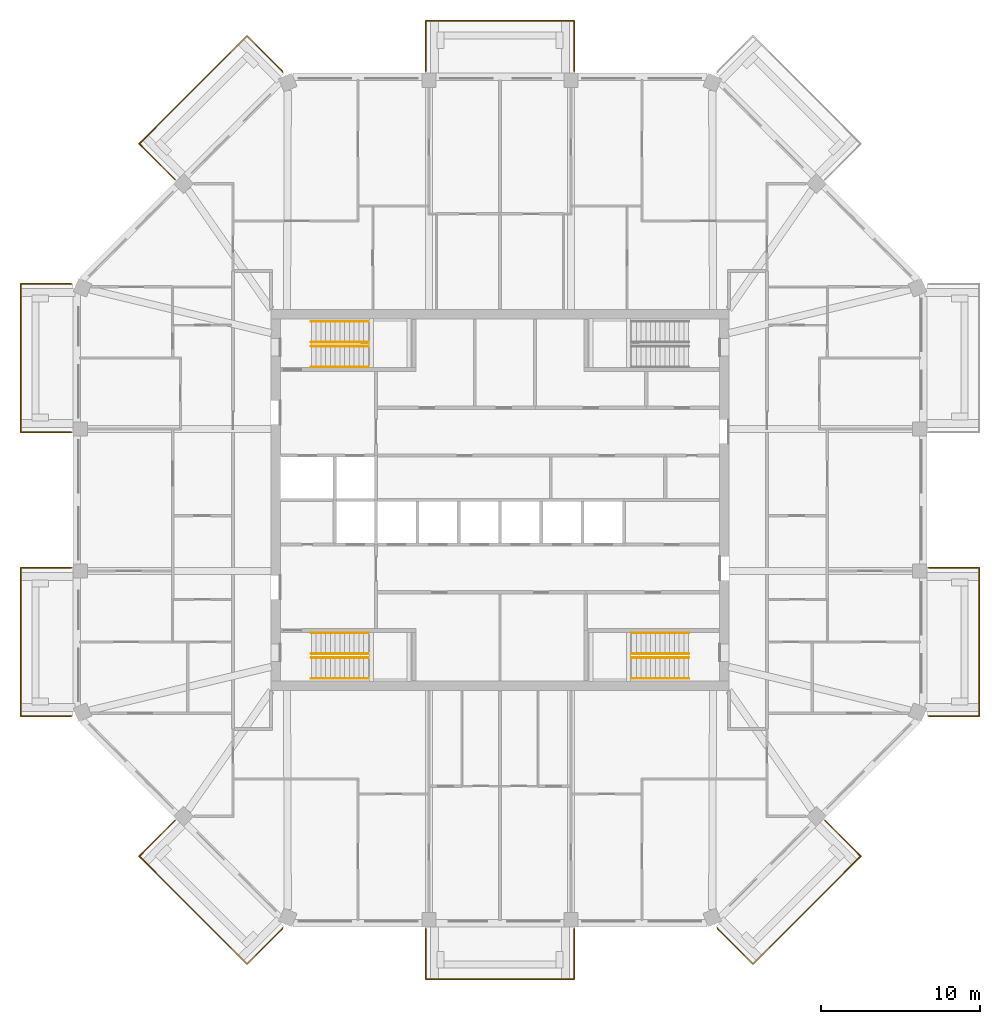
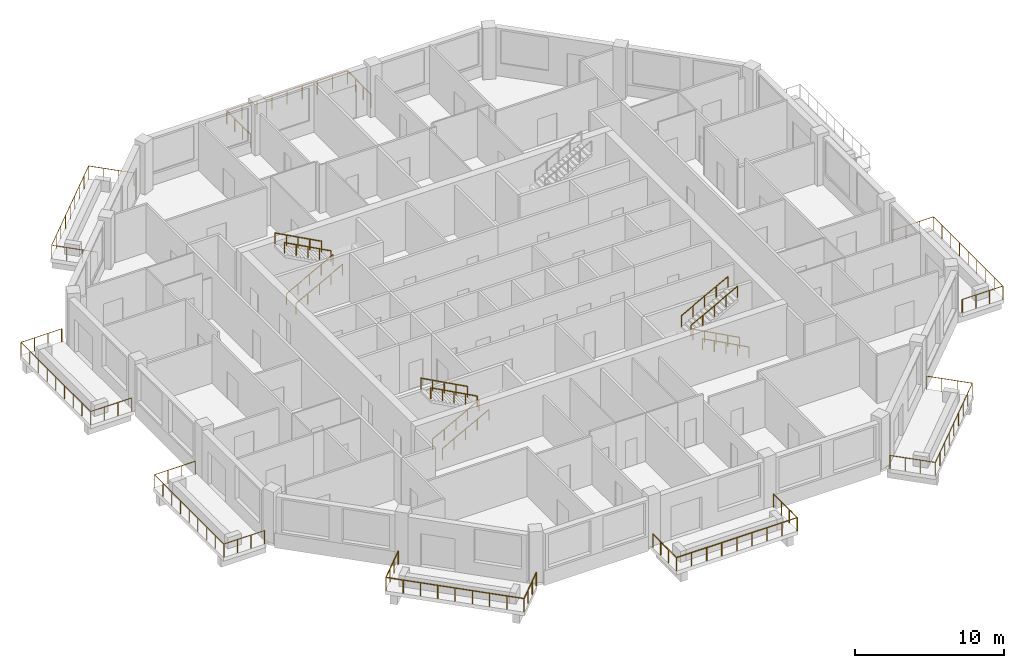
# One storey, part 11 of 12: 20 railings.
"""IFC4 building model written with IfcOpenShell, lengths in metres."""

import ifcopenshell
import ifcopenshell.guid

model = None  # the IFC model being written
_history = None  # IfcOwnerHistory: only IFC2X3 demands one
_inside = {}  # id of a spatial element -> (the spatial element, [elements in it])
_under = {}  # id of a project, library or spatial element -> (it, [spatial elements below it])
_declared = {}  # id of a project -> (the project, [libraries it declares])
_typed = {}  # id of a type object -> (the type object, [elements of that type])
_made_of = {}  # id of a material, layer set ... -> (it, [elements and type objects made of it])


def new_model(schema):
    """Start an empty IFC model of exactly this schema.

    Asked for "IFC4X3", IfcOpenShell would pick the latest addendum, in which some entities
    have other attributes; the version numbers below select the first issue.
    IFC2X3 requires an IfcOwnerHistory on every rooted entity: one is made here for all.
    """
    global model, _history
    if schema == "IFC4X3":
        model = ifcopenshell.file(schema_version=(4, 3, 0, 0))
    else:
        model = ifcopenshell.file(schema=schema)
    _inside.clear()
    _under.clear()
    _declared.clear()
    _typed.clear()
    _made_of.clear()
    _history = None
    if model.schema == "IFC2X3":
        org = make("IfcOrganization", Name="unknown")
        user = make(
            "IfcPersonAndOrganization",
            ThePerson=make("IfcPerson", FamilyName="unknown"),
            TheOrganization=org,
        )
        app = make(
            "IfcApplication",
            ApplicationDeveloper=org,
            Version="unknown",
            ApplicationFullName="unknown",
            ApplicationIdentifier="unknown",
        )
        _history = make(
            "IfcOwnerHistory",
            OwningUser=user,
            OwningApplication=app,
            ChangeAction="ADDED",
            CreationDate=0,
        )
    return model


def make(cls, **values):
    """One entity of the class cls with the attributes given. An attribute that is None is left unset."""
    return model.create_entity(
        cls, **{name: value for name, value in values.items() if value is not None}
    )


def rooted(cls, **values):
    """An entity with a GlobalId (a new one), such as an element, a storey or a relation."""
    return make(cls, GlobalId=ifcopenshell.guid.new(), OwnerHistory=_history, **values)


def si_unit(unit_type, name, prefix=None):
    """IfcSIUnit, for example si_unit("LENGTHUNIT", "METRE", prefix="MILLI")."""
    return make("IfcSIUnit", UnitType=unit_type, Prefix=prefix, Name=name)


def assignment(units):
    """IfcUnitAssignment: the units of a project."""
    return None if units is None else make("IfcUnitAssignment", Units=units)


def point(xyz):
    """IfcCartesianPoint."""
    return None if xyz is None else make("IfcCartesianPoint", Coordinates=xyz)


def direction(xyz):
    """IfcDirection."""
    return None if xyz is None else make("IfcDirection", DirectionRatios=xyz)


def frame(location, z_axis=None, x_axis=None):
    """IfcAxis2Placement3D, a coordinate frame: its origin and axes. An axis left out is left unset."""
    return make(
        "IfcAxis2Placement3D",
        Location=point(location),
        Axis=direction(z_axis),
        RefDirection=direction(x_axis),
    )


def frame_2d(location, x_axis=None):
    """IfcAxis2Placement2D, a coordinate frame in the plane: its origin and x axis."""
    return make(
        "IfcAxis2Placement2D", Location=point(location), RefDirection=direction(x_axis)
    )


def origin():
    """The frame at (0, 0, 0) with its axes left unset."""
    return frame((0.0, 0.0, 0.0))


def origin_2d():
    """The frame at (0, 0) in the plane with its x axis left unset."""
    return frame_2d((0.0, 0.0))


def place(relative_to, where):
    """IfcLocalPlacement: puts the frame where relative to a parent placement (None: the world)."""
    return make(
        "IfcLocalPlacement", PlacementRelTo=relative_to, RelativePlacement=where
    )


def context(
    kind, dimensions, precision=None, world=None, true_north=None, identifier=None
):
    """IfcGeometricRepresentationContext, for example the 3D "Model" context."""
    return make(
        "IfcGeometricRepresentationContext",
        ContextIdentifier=identifier,
        ContextType=kind,
        CoordinateSpaceDimension=dimensions,
        Precision=precision,
        WorldCoordinateSystem=world,
        TrueNorth=true_north,
    )


def subcontext(parent, identifier, kind, view, scale=None):
    """IfcGeometricRepresentationSubContext, for example "Body" below "Model"."""
    return make(
        "IfcGeometricRepresentationSubContext",
        ContextIdentifier=identifier,
        ContextType=kind,
        ParentContext=parent,
        TargetScale=scale,
        TargetView=view,
    )


def project(units=None, contexts=None):
    """IfcProject with its units and contexts."""
    return rooted(
        "IfcProject",
        Name="project",
        RepresentationContexts=contexts,
        UnitsInContext=assignment(units),
    )


def spatial(cls, under=None, at=None, **own):
    """A site, building, storey or space (cls), placed at a placement, below another one or the project."""
    s = rooted(cls, ObjectPlacement=at, **own)
    if under is not None:
        _under.setdefault(under.id(), (under, []))[1].append(s)
    return s


def profile(cls, at=None, kind="AREA", **sizes):
    """A parametric profile (cls). Its sizes go by their IFC names, for example OverallWidth=200.0."""
    return make(cls, ProfileType=kind, Position=at, **sizes)


def circle(**sizes):
    """IfcCircleProfileDef."""
    return profile("IfcCircleProfileDef", **sizes)


def extrude(swept, where, along, depth):
    """IfcExtrudedAreaSolid: the profile swept, set in the frame where, extruded along a direction by depth."""
    return make(
        "IfcExtrudedAreaSolid",
        SweptArea=swept,
        Position=where,
        ExtrudedDirection=direction(along),
        Depth=depth,
    )


def shape(context_of_items, identifier, shape_type, items):
    """IfcShapeRepresentation: the items that make up one representation, for example the "Body"."""
    return make(
        "IfcShapeRepresentation",
        ContextOfItems=context_of_items,
        RepresentationIdentifier=identifier,
        RepresentationType=shape_type,
        Items=items,
    )


def material(Name=None, Category=None):
    """IfcMaterial."""
    return make("IfcMaterial", Name=Name, Category=Category)


def constituent(of_material, Name=None, Category=None, fraction=None):
    """IfcMaterialConstituent: one of the materials an element consists of."""
    return make(
        "IfcMaterialConstituent",
        Name=Name,
        Material=of_material,
        Fraction=fraction,
        Category=Category,
    )


def constituent_set(constituents=None, Name=None):
    """IfcMaterialConstituentSet."""
    return make(
        "IfcMaterialConstituentSet", Name=Name, MaterialConstituents=constituents
    )


def made_of(thing, what):
    """Note that an element or type object is made of a material, layer set ...; save() writes the relation."""
    if what is not None:
        _made_of.setdefault(what.id(), (what, []))[1].append(thing)
    return thing


def type_object(cls, material=None, **own):
    """A type object (cls), such as IfcWallType, which elements share."""
    return made_of(rooted(cls, **own), material)


def element(
    cls,
    number,
    at=None,
    inside=None,
    cuts=None,
    type_object=None,
    material=None,
    context=None,
    identifier="Body",
    shape_type=None,
    held_by="IfcProductDefinitionShape",
    body=None,
    shapes=None,
    **own,
):
    """One element of the class cls, such as IfcWall. Its Tag is "e" and its number.

    at: its placement. inside: the storey or other place that contains it. cuts: it is an
    opening in that element (IfcRelVoidsElement). A single representation is given by context,
    identifier, shape_type and body (its items); several are given by shapes. held_by: the class
    of the entity that holds the representations. save() writes the other relations.
    """
    e = rooted(cls, Tag="e%d" % number, ObjectPlacement=at, **own)
    if body is not None:
        shapes = [shape(context, identifier, shape_type, body)]
    if shapes is not None:
        e.Representation = make(held_by, Representations=shapes)
    if inside is not None:
        _inside.setdefault(inside.id(), (inside, []))[1].append(e)
    if cuts is not None:
        rooted(
            "IfcRelVoidsElement", RelatingBuildingElement=cuts, RelatedOpeningElement=e
        )
    if type_object is not None:
        _typed.setdefault(type_object.id(), (type_object, []))[1].append(e)
    return made_of(e, material)


def aggregate(whole, parts):
    """IfcRelAggregates: a whole, such as a stair, and the parts it consists of."""
    return rooted("IfcRelAggregates", RelatingObject=whole, RelatedObjects=parts)


def save(model, path):
    """Write the relations noted so far, then the file.

    IfcRelAggregates (storeys below a building ...), IfcRelContainedInSpatialStructure (elements
    in a storey), IfcRelDefinesByType, IfcRelAssociatesMaterial and IfcRelDeclares: one each for
    every whole, place, type object, material and project.
    """
    for whole, parts in _under.values():
        aggregate(whole, parts)
    for where, things in _inside.values():
        rooted(
            "IfcRelContainedInSpatialStructure",
            RelatedElements=things,
            RelatingStructure=where,
        )
    for kind, things in _typed.values():
        rooted("IfcRelDefinesByType", RelatedObjects=things, RelatingType=kind)
    for what, things in _made_of.values():
        rooted("IfcRelAssociatesMaterial", RelatedObjects=things, RelatingMaterial=what)
    for by, libraries in _declared.values():
        rooted("IfcRelDeclares", RelatingContext=by, RelatedDefinitions=libraries)
    model.write(path)


model = new_model("IFC4")

# Units and contexts
model_context = context("Model", 3, precision=1e-05, world=origin(), true_north=direction((0.0, 1.0)))
body_context = subcontext(model_context, "Body", "Model", "MODEL_VIEW")
ifc_project = project(units=[si_unit("LENGTHUNIT", "METRE"), si_unit("AREAUNIT", "SQUARE_METRE"), si_unit("VOLUMEUNIT", "CUBIC_METRE"), si_unit("PLANEANGLEUNIT", "RADIAN"), si_unit("MASSUNIT", "GRAM", prefix="KILO")], contexts=[model_context])

# Site, building, storey
site_placement = place(None, origin())
site = spatial("IfcSite", under=ifc_project, at=site_placement, CompositionType="ELEMENT")
building_placement = place(site_placement, origin())
building = spatial("IfcBuilding", under=site, at=building_placement, Name="Msitu Wima Residences", CompositionType="ELEMENT")
storey_placement = place(building_placement, frame((0.0, 0.0, 243.300048828125)))
storey = spatial("IfcBuildingStorey", under=building, at=storey_placement, Name="L56", CompositionType="ELEMENT", Elevation=243.300048828125)

# Railings
ifc_material_1 = material(Name="Steel S355", Category="steel")
ifc_constituent_1 = constituent(ifc_material_1, Name="Steel S355")
ifc_material_2 = material(Name="Weathering patina")
ifc_constituent_2 = constituent(ifc_material_2, Name="Weathering patina")
ifc_constituent_set_1 = constituent_set(constituents=[ifc_constituent_1, ifc_constituent_2], Name="Steel S355")
railing_type_1 = type_object("IfcRailingType", Name="Balcony guard GR1100", PredefinedType="GUARDRAIL", material=ifc_constituent_set_1)
railing_1_placement = place(storey_placement, frame((26.97998046875, -4.2685546875, 0.0)))
element("IfcRailing", 1, at=railing_1_placement, inside=storey, type_object=railing_type_1, Name="Balcony guard E0 L56", PredefinedType="GUARDRAIL", context=body_context, shape_type="SweptSolid", body=[
    extrude(circle(Radius=0.02392578125, at=origin_2d()), frame((0.0, 0.0, 1.076171875), z_axis=(1.0, 0.0, 0.0), x_axis=(0.0, 1.0, 0.0)), (0.0, 0.0, 1.0), 3.169921875),
    extrude(circle(Radius=0.02392578125, at=origin_2d()), frame((3.169921875, 0.0, 1.076171875), z_axis=(0.0, -1.0, 0.0), x_axis=(1.0, 0.0, 0.0)), (0.0, 0.0, 1.0), 9.33740234375),
    extrude(circle(Radius=0.02392578125, at=origin_2d()), frame((3.169921875, -9.33740234375, 1.076171875), z_axis=(-1.0, 0.0, 0.0), x_axis=(0.0, -1.0, 0.0)), (0.0, 0.0, 1.0), 3.136474609375),
    extrude(circle(Radius=0.02392578125, at=origin_2d()), frame((0.033447265625, -9.33740234375, 1.076171875), z_axis=(-0.923276184907, 0.384136806859, 0.0), x_axis=(-0.384136806859, -0.923276184907, 0.0)), (0.0, 0.0, 1.0), 0.0361328125),
    extrude(circle(Radius=0.02099609375, at=origin_2d()), origin(), (0.0, 0.0, 1.0), 1.052001953125),
    extrude(circle(Radius=0.02099609375, at=origin_2d()), frame((1.056640625, 0.0, 0.0)), (0.0, 0.0, 1.0), 1.052001953125),
    extrude(circle(Radius=0.02099609375, at=origin_2d()), frame((2.11328125, 0.0, 0.0)), (0.0, 0.0, 1.0), 1.052001953125),
    extrude(circle(Radius=0.02099609375, at=origin_2d()), frame((3.169921875, 0.0, 0.0)), (0.0, 0.0, 1.0), 1.052001953125),
    extrude(circle(Radius=0.02099609375, at=origin_2d()), frame((3.169921875, -1.167236328125, 0.0)), (0.0, 0.0, 1.0), 1.052001953125),
    extrude(circle(Radius=0.02099609375, at=origin_2d()), frame((3.169921875, -2.33447265625, 0.0)), (0.0, 0.0, 1.0), 1.052001953125),
    extrude(circle(Radius=0.02099609375, at=origin_2d()), frame((3.169921875, -3.50146484375, 0.0)), (0.0, 0.0, 1.0), 1.052001953125),
    extrude(circle(Radius=0.02099609375, at=origin_2d()), frame((3.169921875, -4.668701171875, 0.0)), (0.0, 0.0, 1.0), 1.052001953125),
    extrude(circle(Radius=0.02099609375, at=origin_2d()), frame((3.169921875, -5.8359375, 0.0)), (0.0, 0.0, 1.0), 1.052001953125),
    extrude(circle(Radius=0.02099609375, at=origin_2d()), frame((3.169921875, -7.0029296875, 0.0)), (0.0, 0.0, 1.0), 1.052001953125),
    extrude(circle(Radius=0.02099609375, at=origin_2d()), frame((3.169921875, -8.170166015625, 0.0)), (0.0, 0.0, 1.0), 1.052001953125),
    extrude(circle(Radius=0.02099609375, at=origin_2d()), frame((3.169921875, -9.33740234375, 0.0)), (0.0, 0.0, 1.0), 1.052001953125),
    extrude(circle(Radius=0.02099609375, at=origin_2d()), frame((2.12451171875, -9.33740234375, 0.0)), (0.0, 0.0, 1.0), 1.052001953125),
    extrude(circle(Radius=0.02099609375, at=origin_2d()), frame((1.078857421875, -9.33740234375, 0.0)), (0.0, 0.0, 1.0), 1.052001953125),
    extrude(circle(Radius=0.02099609375, at=origin_2d()), frame((0.033447265625, -9.33740234375, 0.0)), (0.0, 0.0, 1.0), 1.052001953125),
    extrude(circle(Radius=0.02099609375, at=origin_2d()), frame((0.0, -9.323486328125, 0.0)), (0.0, 0.0, 1.0), 1.052001953125),
])
railing_2_placement = place(storey_placement, frame((-4.668701171875, 26.97998046875, 0.0)))
element("IfcRailing", 2, at=railing_2_placement, inside=storey, type_object=railing_type_1, Name="Balcony guard N1 L56", PredefinedType="GUARDRAIL", context=body_context, shape_type="SweptSolid", body=[
    extrude(circle(Radius=0.02392578125, at=origin_2d()), frame((0.0, 0.0, 1.076171875), z_axis=(0.0, 1.0, 0.0), x_axis=(-1.0, 0.0, 0.0)), (0.0, 0.0, 1.0), 3.169921875),
    extrude(circle(Radius=0.02392578125, at=origin_2d()), frame((0.0, 3.169921875, 1.076171875), z_axis=(1.0, 0.0, 0.0), x_axis=(0.0, 1.0, 0.0)), (0.0, 0.0, 1.0), 9.33740234375),
    extrude(circle(Radius=0.02392578125, at=origin_2d()), frame((9.33740234375, 3.169921875, 1.076171875), z_axis=(0.0, -1.0, 0.0), x_axis=(1.0, 0.0, 0.0)), (0.0, 0.0, 1.0), 3.169921875),
    extrude(circle(Radius=0.02099609375, at=origin_2d()), origin(), (0.0, 0.0, 1.0), 1.052001953125),
    extrude(circle(Radius=0.02099609375, at=origin_2d()), frame((0.0, 1.056640625, 0.0)), (0.0, 0.0, 1.0), 1.052001953125),
    extrude(circle(Radius=0.02099609375, at=origin_2d()), frame((0.0, 2.11328125, 0.0)), (0.0, 0.0, 1.0), 1.052001953125),
    extrude(circle(Radius=0.02099609375, at=origin_2d()), frame((0.0, 3.169921875, 0.0)), (0.0, 0.0, 1.0), 1.052001953125),
    extrude(circle(Radius=0.02099609375, at=origin_2d()), frame((1.167236328125, 3.169921875, 0.0)), (0.0, 0.0, 1.0), 1.052001953125),
    extrude(circle(Radius=0.02099609375, at=origin_2d()), frame((2.33447265625, 3.169921875, 0.0)), (0.0, 0.0, 1.0), 1.052001953125),
    extrude(circle(Radius=0.02099609375, at=origin_2d()), frame((3.50146484375, 3.169921875, 0.0)), (0.0, 0.0, 1.0), 1.052001953125),
    extrude(circle(Radius=0.02099609375, at=origin_2d()), frame((4.668701171875, 3.169921875, 0.0)), (0.0, 0.0, 1.0), 1.052001953125),
    extrude(circle(Radius=0.02099609375, at=origin_2d()), frame((5.8359375, 3.169921875, 0.0)), (0.0, 0.0, 1.0), 1.052001953125),
    extrude(circle(Radius=0.02099609375, at=origin_2d()), frame((7.0029296875, 3.169921875, 0.0)), (0.0, 0.0, 1.0), 1.052001953125),
    extrude(circle(Radius=0.02099609375, at=origin_2d()), frame((8.170166015625, 3.169921875, 0.0)), (0.0, 0.0, 1.0), 1.052001953125),
    extrude(circle(Radius=0.02099609375, at=origin_2d()), frame((9.33740234375, 3.169921875, 0.0)), (0.0, 0.0, 1.0), 1.052001953125),
    extrude(circle(Radius=0.02099609375, at=origin_2d()), frame((9.33740234375, 2.11328125, 0.0)), (0.0, 0.0, 1.0), 1.052001953125),
    extrude(circle(Radius=0.02099609375, at=origin_2d()), frame((9.33740234375, 1.056640625, 0.0)), (0.0, 0.0, 1.0), 1.052001953125),
    extrude(circle(Radius=0.02099609375, at=origin_2d()), frame((9.33740234375, 0.0, 0.0)), (0.0, 0.0, 1.0), 1.052001953125),
])
railing_3_placement = place(storey_placement, frame((-20.45458984375, 20.171630859375, 0.0)))
element("IfcRailing", 3, at=railing_3_placement, inside=storey, type_object=railing_type_1, Name="Balcony guard NW0 L56", PredefinedType="GUARDRAIL", context=body_context, shape_type="SweptSolid", body=[
    extrude(circle(Radius=0.02392578125, at=origin_2d()), frame((0.0, 0.0, 1.076171875), z_axis=(-0.707106781187, 0.707106781187, 0.0), x_axis=(-0.707106781187, -0.707106781187, 0.0)), (0.0, 0.0, 1.0), 3.169921875),
    extrude(circle(Radius=0.02392578125, at=origin_2d()), frame((-2.241455078125, 2.241455078125, 1.076171875), z_axis=(0.707106781187, 0.707106781187, 0.0), x_axis=(-0.707106781187, 0.707106781187, 0.0)), (0.0, 0.0, 1.0), 9.58837890625),
    extrude(circle(Radius=0.02392578125, at=origin_2d()), frame((4.53857421875, 9.021484375, 1.076171875), z_axis=(0.707106781187, -0.707106781187, 0.0), x_axis=(0.707106781187, 0.707106781187, 0.0)), (0.0, 0.0, 1.0), 3.136474609375),
    extrude(circle(Radius=0.02392578125, at=origin_2d()), frame((6.75634765625, 6.8037109375, 1.076171875), z_axis=(0.38176015442, -0.92426142649, 0.0), x_axis=(0.92426142649, 0.38176015442, 0.0)), (0.0, 0.0, 1.0), 0.036376953125),
    extrude(circle(Radius=0.02099609375, at=origin_2d()), origin(), (0.0, 0.0, 1.0), 1.052001953125),
    extrude(circle(Radius=0.02099609375, at=origin_2d()), frame((-0.7470703125, 0.7470703125, 0.0)), (0.0, 0.0, 1.0), 1.052001953125),
    extrude(circle(Radius=0.02099609375, at=origin_2d()), frame((-1.494384765625, 1.494384765625, 0.0)), (0.0, 0.0, 1.0), 1.052001953125),
    extrude(circle(Radius=0.02099609375, at=origin_2d()), frame((-2.241455078125, 2.241455078125, 0.0)), (0.0, 0.0, 1.0), 1.052001953125),
    extrude(circle(Radius=0.02099609375, at=origin_2d()), frame((-1.39404296875, 3.0888671875, 0.0)), (0.0, 0.0, 1.0), 1.052001953125),
    extrude(circle(Radius=0.02099609375, at=origin_2d()), frame((-0.54638671875, 3.9365234375, 0.0)), (0.0, 0.0, 1.0), 1.052001953125),
    extrude(circle(Radius=0.02099609375, at=origin_2d()), frame((0.301025390625, 4.783935546875, 0.0)), (0.0, 0.0, 1.0), 1.052001953125),
    extrude(circle(Radius=0.02099609375, at=origin_2d()), frame((1.1484375, 5.63134765625, 0.0)), (0.0, 0.0, 1.0), 1.052001953125),
    extrude(circle(Radius=0.02099609375, at=origin_2d()), frame((1.99609375, 6.47900390625, 0.0)), (0.0, 0.0, 1.0), 1.052001953125),
    extrude(circle(Radius=0.02099609375, at=origin_2d()), frame((2.843505859375, 7.326416015625, 0.0)), (0.0, 0.0, 1.0), 1.052001953125),
    extrude(circle(Radius=0.02099609375, at=origin_2d()), frame((3.691162109375, 8.174072265625, 0.0)), (0.0, 0.0, 1.0), 1.052001953125),
    extrude(circle(Radius=0.02099609375, at=origin_2d()), frame((4.53857421875, 9.021484375, 0.0)), (0.0, 0.0, 1.0), 1.052001953125),
    extrude(circle(Radius=0.02099609375, at=origin_2d()), frame((5.27783203125, 8.2822265625, 0.0)), (0.0, 0.0, 1.0), 1.052001953125),
    extrude(circle(Radius=0.02099609375, at=origin_2d()), frame((6.01708984375, 7.54296875, 0.0)), (0.0, 0.0, 1.0), 1.052001953125),
    extrude(circle(Radius=0.02099609375, at=origin_2d()), frame((6.75634765625, 6.8037109375, 0.0)), (0.0, 0.0, 1.0), 1.052001953125),
    extrude(circle(Radius=0.02099609375, at=origin_2d()), frame((6.770263671875, 6.77001953125, 0.0)), (0.0, 0.0, 1.0), 1.052001953125),
])
railing_4_placement = place(storey_placement, frame((-26.97998046875, 4.2685546875, 0.0)))
element("IfcRailing", 4, at=railing_4_placement, inside=storey, type_object=railing_type_1, Name="Balcony guard W0 L56", PredefinedType="GUARDRAIL", context=body_context, shape_type="SweptSolid", body=[
    extrude(circle(Radius=0.02392578125, at=origin_2d()), frame((0.0, 0.0, 1.076171875), z_axis=(-1.0, 0.0, 0.0), x_axis=(0.0, -1.0, 0.0)), (0.0, 0.0, 1.0), 3.169921875),
    extrude(circle(Radius=0.02392578125, at=origin_2d()), frame((-3.169921875, 0.0, 1.076171875), z_axis=(0.0, 1.0, 0.0), x_axis=(-1.0, 0.0, 0.0)), (0.0, 0.0, 1.0), 9.33740234375),
    extrude(circle(Radius=0.02392578125, at=origin_2d()), frame((-3.169921875, 9.33740234375, 1.076171875), z_axis=(1.0, 0.0, 0.0), x_axis=(0.0, 1.0, 0.0)), (0.0, 0.0, 1.0), 3.136474609375),
    extrude(circle(Radius=0.02392578125, at=origin_2d()), frame((-0.033447265625, 9.33740234375, 1.076171875), z_axis=(0.923276184907, -0.384136806859, 0.0), x_axis=(0.384136806859, 0.923276184907, 0.0)), (0.0, 0.0, 1.0), 0.0361328125),
    extrude(circle(Radius=0.02099609375, at=origin_2d()), origin(), (0.0, 0.0, 1.0), 1.052001953125),
    extrude(circle(Radius=0.02099609375, at=origin_2d()), frame((-1.056640625, 0.0, 0.0)), (0.0, 0.0, 1.0), 1.052001953125),
    extrude(circle(Radius=0.02099609375, at=origin_2d()), frame((-2.11328125, 0.0, 0.0)), (0.0, 0.0, 1.0), 1.052001953125),
    extrude(circle(Radius=0.02099609375, at=origin_2d()), frame((-3.169921875, 0.0, 0.0)), (0.0, 0.0, 1.0), 1.052001953125),
    extrude(circle(Radius=0.02099609375, at=origin_2d()), frame((-3.169921875, 1.167236328125, 0.0)), (0.0, 0.0, 1.0), 1.052001953125),
    extrude(circle(Radius=0.02099609375, at=origin_2d()), frame((-3.169921875, 2.33447265625, 0.0)), (0.0, 0.0, 1.0), 1.052001953125),
    extrude(circle(Radius=0.02099609375, at=origin_2d()), frame((-3.169921875, 3.50146484375, 0.0)), (0.0, 0.0, 1.0), 1.052001953125),
    extrude(circle(Radius=0.02099609375, at=origin_2d()), frame((-3.169921875, 4.668701171875, 0.0)), (0.0, 0.0, 1.0), 1.052001953125),
    extrude(circle(Radius=0.02099609375, at=origin_2d()), frame((-3.169921875, 5.8359375, 0.0)), (0.0, 0.0, 1.0), 1.052001953125),
    extrude(circle(Radius=0.02099609375, at=origin_2d()), frame((-3.169921875, 7.0029296875, 0.0)), (0.0, 0.0, 1.0), 1.052001953125),
    extrude(circle(Radius=0.02099609375, at=origin_2d()), frame((-3.169921875, 8.170166015625, 0.0)), (0.0, 0.0, 1.0), 1.052001953125),
    extrude(circle(Radius=0.02099609375, at=origin_2d()), frame((-3.169921875, 9.33740234375, 0.0)), (0.0, 0.0, 1.0), 1.052001953125),
    extrude(circle(Radius=0.02099609375, at=origin_2d()), frame((-2.12451171875, 9.33740234375, 0.0)), (0.0, 0.0, 1.0), 1.052001953125),
    extrude(circle(Radius=0.02099609375, at=origin_2d()), frame((-1.078857421875, 9.33740234375, 0.0)), (0.0, 0.0, 1.0), 1.052001953125),
    extrude(circle(Radius=0.02099609375, at=origin_2d()), frame((-0.033447265625, 9.33740234375, 0.0)), (0.0, 0.0, 1.0), 1.052001953125),
    extrude(circle(Radius=0.02099609375, at=origin_2d()), frame((0.0, 9.323486328125, 0.0)), (0.0, 0.0, 1.0), 1.052001953125),
])
railing_5_placement = place(storey_placement, frame((-26.97998046875, -13.592041015625, 0.0)))
element("IfcRailing", 5, at=railing_5_placement, inside=storey, type_object=railing_type_1, Name="Balcony guard W2 L56", PredefinedType="GUARDRAIL", context=body_context, shape_type="SweptSolid", body=[
    extrude(circle(Radius=0.02392578125, at=origin_2d()), frame((0.0, 0.0, 1.076171875), z_axis=(-0.923276184907, -0.384136806859, 0.0), x_axis=(0.384136806859, -0.923276184907, 0.0)), (0.0, 0.0, 1.0), 0.0361328125),
    extrude(circle(Radius=0.02392578125, at=origin_2d()), frame((-0.033447265625, -0.013916015625, 1.076171875), z_axis=(-1.0, 0.0, 0.0), x_axis=(0.0, -1.0, 0.0)), (0.0, 0.0, 1.0), 3.136474609375),
    extrude(circle(Radius=0.02392578125, at=origin_2d()), frame((-3.169921875, -0.013916015625, 1.076171875), z_axis=(0.0, 1.0, 0.0), x_axis=(-1.0, 0.0, 0.0)), (0.0, 0.0, 1.0), 9.33740234375),
    extrude(circle(Radius=0.02392578125, at=origin_2d()), frame((-3.169921875, 9.323486328125, 1.076171875), z_axis=(1.0, 0.0, 0.0), x_axis=(0.0, 1.0, 0.0)), (0.0, 0.0, 1.0), 3.169921875),
    extrude(circle(Radius=0.02099609375, at=origin_2d()), origin(), (0.0, 0.0, 1.0), 1.052001953125),
    extrude(circle(Radius=0.02099609375, at=origin_2d()), frame((-0.033447265625, -0.013916015625, 0.0)), (0.0, 0.0, 1.0), 1.052001953125),
    extrude(circle(Radius=0.02099609375, at=origin_2d()), frame((-1.078857421875, -0.013916015625, 0.0)), (0.0, 0.0, 1.0), 1.052001953125),
    extrude(circle(Radius=0.02099609375, at=origin_2d()), frame((-2.12451171875, -0.013916015625, 0.0)), (0.0, 0.0, 1.0), 1.052001953125),
    extrude(circle(Radius=0.02099609375, at=origin_2d()), frame((-3.169921875, -0.013916015625, 0.0)), (0.0, 0.0, 1.0), 1.052001953125),
    extrude(circle(Radius=0.02099609375, at=origin_2d()), frame((-3.169921875, 1.1533203125, 0.0)), (0.0, 0.0, 1.0), 1.052001953125),
    extrude(circle(Radius=0.02099609375, at=origin_2d()), frame((-3.169921875, 2.3203125, 0.0)), (0.0, 0.0, 1.0), 1.052001953125),
    extrude(circle(Radius=0.02099609375, at=origin_2d()), frame((-3.169921875, 3.487548828125, 0.0)), (0.0, 0.0, 1.0), 1.052001953125),
    extrude(circle(Radius=0.02099609375, at=origin_2d()), frame((-3.169921875, 4.65478515625, 0.0)), (0.0, 0.0, 1.0), 1.052001953125),
    extrude(circle(Radius=0.02099609375, at=origin_2d()), frame((-3.169921875, 5.822021484375, 0.0)), (0.0, 0.0, 1.0), 1.052001953125),
    extrude(circle(Radius=0.02099609375, at=origin_2d()), frame((-3.169921875, 6.9892578125, 0.0)), (0.0, 0.0, 1.0), 1.052001953125),
    extrude(circle(Radius=0.02099609375, at=origin_2d()), frame((-3.169921875, 8.15625, 0.0)), (0.0, 0.0, 1.0), 1.052001953125),
    extrude(circle(Radius=0.02099609375, at=origin_2d()), frame((-3.169921875, 9.323486328125, 0.0)), (0.0, 0.0, 1.0), 1.052001953125),
    extrude(circle(Radius=0.02099609375, at=origin_2d()), frame((-2.11328125, 9.323486328125, 0.0)), (0.0, 0.0, 1.0), 1.052001953125),
    extrude(circle(Radius=0.02099609375, at=origin_2d()), frame((-1.056640625, 9.323486328125, 0.0)), (0.0, 0.0, 1.0), 1.052001953125),
    extrude(circle(Radius=0.02099609375, at=origin_2d()), frame((0.0, 9.323486328125, 0.0)), (0.0, 0.0, 1.0), 1.052001953125),
])
railing_6_placement = place(storey_placement, frame((-13.684326171875, -26.941650390625, 0.0)))
element("IfcRailing", 6, at=railing_6_placement, inside=storey, type_object=railing_type_1, Name="Balcony guard SW1 L56", PredefinedType="GUARDRAIL", context=body_context, shape_type="SweptSolid", body=[
    extrude(circle(Radius=0.02392578125, at=origin_2d()), frame((0.0, 0.0, 1.076171875), z_axis=(-0.38176015442, -0.92426142649, 0.0), x_axis=(0.92426142649, -0.38176015442, 0.0)), (0.0, 0.0, 1.0), 0.036376953125),
    extrude(circle(Radius=0.02392578125, at=origin_2d()), frame((-0.013916015625, -0.03369140625, 1.076171875), z_axis=(-0.707106781187, -0.707106781187, 0.0), x_axis=(0.707106781187, -0.707106781187, 0.0)), (0.0, 0.0, 1.0), 3.136474609375),
    extrude(circle(Radius=0.02392578125, at=origin_2d()), frame((-2.231689453125, -2.25146484375, 1.076171875), z_axis=(-0.707106781187, 0.707106781187, 0.0), x_axis=(-0.707106781187, -0.707106781187, 0.0)), (0.0, 0.0, 1.0), 9.58837890625),
    extrude(circle(Radius=0.02392578125, at=origin_2d()), frame((-9.01171875, 4.528564453125, 1.076171875), z_axis=(0.707106781187, 0.707106781187, 0.0), x_axis=(-0.707106781187, 0.707106781187, 0.0)), (0.0, 0.0, 1.0), 3.169921875),
    extrude(circle(Radius=0.02099609375, at=origin_2d()), origin(), (0.0, 0.0, 1.0), 1.052001953125),
    extrude(circle(Radius=0.02099609375, at=origin_2d()), frame((-0.013916015625, -0.03369140625, 0.0)), (0.0, 0.0, 1.0), 1.052001953125),
    extrude(circle(Radius=0.02099609375, at=origin_2d()), frame((-0.753173828125, -0.77294921875, 0.0)), (0.0, 0.0, 1.0), 1.052001953125),
    extrude(circle(Radius=0.02099609375, at=origin_2d()), frame((-1.492431640625, -1.51220703125, 0.0)), (0.0, 0.0, 1.0), 1.052001953125),
    extrude(circle(Radius=0.02099609375, at=origin_2d()), frame((-2.231689453125, -2.25146484375, 0.0)), (0.0, 0.0, 1.0), 1.052001953125),
    extrude(circle(Radius=0.02099609375, at=origin_2d()), frame((-3.0791015625, -1.404052734375, 0.0)), (0.0, 0.0, 1.0), 1.052001953125),
    extrude(circle(Radius=0.02099609375, at=origin_2d()), frame((-3.9267578125, -0.556396484375, 0.0)), (0.0, 0.0, 1.0), 1.052001953125),
    extrude(circle(Radius=0.02099609375, at=origin_2d()), frame((-4.774169921875, 0.291015625, 0.0)), (0.0, 0.0, 1.0), 1.052001953125),
    extrude(circle(Radius=0.02099609375, at=origin_2d()), frame((-5.62158203125, 1.138671875, 0.0)), (0.0, 0.0, 1.0), 1.052001953125),
    extrude(circle(Radius=0.02099609375, at=origin_2d()), frame((-6.46923828125, 1.986083984375, 0.0)), (0.0, 0.0, 1.0), 1.052001953125),
    extrude(circle(Radius=0.02099609375, at=origin_2d()), frame((-7.316650390625, 2.83349609375, 0.0)), (0.0, 0.0, 1.0), 1.052001953125),
    extrude(circle(Radius=0.02099609375, at=origin_2d()), frame((-8.164306640625, 3.68115234375, 0.0)), (0.0, 0.0, 1.0), 1.052001953125),
    extrude(circle(Radius=0.02099609375, at=origin_2d()), frame((-9.01171875, 4.528564453125, 0.0)), (0.0, 0.0, 1.0), 1.052001953125),
    extrude(circle(Radius=0.02099609375, at=origin_2d()), frame((-8.2646484375, 5.275634765625, 0.0)), (0.0, 0.0, 1.0), 1.052001953125),
    extrude(circle(Radius=0.02099609375, at=origin_2d()), frame((-7.517333984375, 6.02294921875, 0.0)), (0.0, 0.0, 1.0), 1.052001953125),
    extrude(circle(Radius=0.02099609375, at=origin_2d()), frame((-6.770263671875, 6.77001953125, 0.0)), (0.0, 0.0, 1.0), 1.052001953125),
])
railing_7_placement = place(storey_placement, frame((4.668701171875, -26.97998046875, 0.0)))
element("IfcRailing", 7, at=railing_7_placement, inside=storey, type_object=railing_type_1, Name="Balcony guard S1 L56", PredefinedType="GUARDRAIL", context=body_context, shape_type="SweptSolid", body=[
    extrude(circle(Radius=0.02392578125, at=origin_2d()), frame((0.0, 0.0, 1.076171875), z_axis=(0.0, -1.0, 0.0), x_axis=(1.0, 0.0, 0.0)), (0.0, 0.0, 1.0), 3.169921875),
    extrude(circle(Radius=0.02392578125, at=origin_2d()), frame((0.0, -3.169921875, 1.076171875), z_axis=(-1.0, 0.0, 0.0), x_axis=(0.0, -1.0, 0.0)), (0.0, 0.0, 1.0), 9.33740234375),
    extrude(circle(Radius=0.02392578125, at=origin_2d()), frame((-9.33740234375, -3.169921875, 1.076171875), z_axis=(0.0, 1.0, 0.0), x_axis=(-1.0, 0.0, 0.0)), (0.0, 0.0, 1.0), 3.169921875),
    extrude(circle(Radius=0.02099609375, at=origin_2d()), origin(), (0.0, 0.0, 1.0), 1.052001953125),
    extrude(circle(Radius=0.02099609375, at=origin_2d()), frame((0.0, -1.056640625, 0.0)), (0.0, 0.0, 1.0), 1.052001953125),
    extrude(circle(Radius=0.02099609375, at=origin_2d()), frame((0.0, -2.11328125, 0.0)), (0.0, 0.0, 1.0), 1.052001953125),
    extrude(circle(Radius=0.02099609375, at=origin_2d()), frame((0.0, -3.169921875, 0.0)), (0.0, 0.0, 1.0), 1.052001953125),
    extrude(circle(Radius=0.02099609375, at=origin_2d()), frame((-1.167236328125, -3.169921875, 0.0)), (0.0, 0.0, 1.0), 1.052001953125),
    extrude(circle(Radius=0.02099609375, at=origin_2d()), frame((-2.33447265625, -3.169921875, 0.0)), (0.0, 0.0, 1.0), 1.052001953125),
    extrude(circle(Radius=0.02099609375, at=origin_2d()), frame((-3.50146484375, -3.169921875, 0.0)), (0.0, 0.0, 1.0), 1.052001953125),
    extrude(circle(Radius=0.02099609375, at=origin_2d()), frame((-4.668701171875, -3.169921875, 0.0)), (0.0, 0.0, 1.0), 1.052001953125),
    extrude(circle(Radius=0.02099609375, at=origin_2d()), frame((-5.8359375, -3.169921875, 0.0)), (0.0, 0.0, 1.0), 1.052001953125),
    extrude(circle(Radius=0.02099609375, at=origin_2d()), frame((-7.0029296875, -3.169921875, 0.0)), (0.0, 0.0, 1.0), 1.052001953125),
    extrude(circle(Radius=0.02099609375, at=origin_2d()), frame((-8.170166015625, -3.169921875, 0.0)), (0.0, 0.0, 1.0), 1.052001953125),
    extrude(circle(Radius=0.02099609375, at=origin_2d()), frame((-9.33740234375, -3.169921875, 0.0)), (0.0, 0.0, 1.0), 1.052001953125),
    extrude(circle(Radius=0.02099609375, at=origin_2d()), frame((-9.33740234375, -2.11328125, 0.0)), (0.0, 0.0, 1.0), 1.052001953125),
    extrude(circle(Radius=0.02099609375, at=origin_2d()), frame((-9.33740234375, -1.056640625, 0.0)), (0.0, 0.0, 1.0), 1.052001953125),
    extrude(circle(Radius=0.02099609375, at=origin_2d()), frame((-9.33740234375, 0.0, 0.0)), (0.0, 0.0, 1.0), 1.052001953125),
])
railing_8_placement = place(storey_placement, frame((20.45458984375, -20.171630859375, 0.0)))
element("IfcRailing", 8, at=railing_8_placement, inside=storey, type_object=railing_type_1, Name="Balcony guard SE0 L56", PredefinedType="GUARDRAIL", context=body_context, shape_type="SweptSolid", body=[
    extrude(circle(Radius=0.02392578125, at=origin_2d()), frame((0.0, 0.0, 1.076171875), z_axis=(0.707106781187, -0.707106781187, 0.0), x_axis=(0.707106781187, 0.707106781187, 0.0)), (0.0, 0.0, 1.0), 3.169921875),
    extrude(circle(Radius=0.02392578125, at=origin_2d()), frame((2.241455078125, -2.241455078125, 1.076171875), z_axis=(-0.707106781187, -0.707106781187, 0.0), x_axis=(0.707106781187, -0.707106781187, 0.0)), (0.0, 0.0, 1.0), 9.58837890625),
    extrude(circle(Radius=0.02392578125, at=origin_2d()), frame((-4.53857421875, -9.021484375, 1.076171875), z_axis=(-0.707106781187, 0.707106781187, 0.0), x_axis=(-0.707106781187, -0.707106781187, 0.0)), (0.0, 0.0, 1.0), 3.136474609375),
    extrude(circle(Radius=0.02392578125, at=origin_2d()), frame((-6.75634765625, -6.8037109375, 1.076171875), z_axis=(-0.38176015442, 0.92426142649, 0.0), x_axis=(-0.92426142649, -0.38176015442, 0.0)), (0.0, 0.0, 1.0), 0.036376953125),
    extrude(circle(Radius=0.02099609375, at=origin_2d()), origin(), (0.0, 0.0, 1.0), 1.052001953125),
    extrude(circle(Radius=0.02099609375, at=origin_2d()), frame((0.7470703125, -0.7470703125, 0.0)), (0.0, 0.0, 1.0), 1.052001953125),
    extrude(circle(Radius=0.02099609375, at=origin_2d()), frame((1.494384765625, -1.494384765625, 0.0)), (0.0, 0.0, 1.0), 1.052001953125),
    extrude(circle(Radius=0.02099609375, at=origin_2d()), frame((2.241455078125, -2.241455078125, 0.0)), (0.0, 0.0, 1.0), 1.052001953125),
    extrude(circle(Radius=0.02099609375, at=origin_2d()), frame((1.39404296875, -3.0888671875, 0.0)), (0.0, 0.0, 1.0), 1.052001953125),
    extrude(circle(Radius=0.02099609375, at=origin_2d()), frame((0.54638671875, -3.9365234375, 0.0)), (0.0, 0.0, 1.0), 1.052001953125),
    extrude(circle(Radius=0.02099609375, at=origin_2d()), frame((-0.301025390625, -4.783935546875, 0.0)), (0.0, 0.0, 1.0), 1.052001953125),
    extrude(circle(Radius=0.02099609375, at=origin_2d()), frame((-1.1484375, -5.63134765625, 0.0)), (0.0, 0.0, 1.0), 1.052001953125),
    extrude(circle(Radius=0.02099609375, at=origin_2d()), frame((-1.99609375, -6.47900390625, 0.0)), (0.0, 0.0, 1.0), 1.052001953125),
    extrude(circle(Radius=0.02099609375, at=origin_2d()), frame((-2.843505859375, -7.326416015625, 0.0)), (0.0, 0.0, 1.0), 1.052001953125),
    extrude(circle(Radius=0.02099609375, at=origin_2d()), frame((-3.691162109375, -8.174072265625, 0.0)), (0.0, 0.0, 1.0), 1.052001953125),
    extrude(circle(Radius=0.02099609375, at=origin_2d()), frame((-4.53857421875, -9.021484375, 0.0)), (0.0, 0.0, 1.0), 1.052001953125),
    extrude(circle(Radius=0.02099609375, at=origin_2d()), frame((-5.27783203125, -8.2822265625, 0.0)), (0.0, 0.0, 1.0), 1.052001953125),
    extrude(circle(Radius=0.02099609375, at=origin_2d()), frame((-6.01708984375, -7.54296875, 0.0)), (0.0, 0.0, 1.0), 1.052001953125),
    extrude(circle(Radius=0.02099609375, at=origin_2d()), frame((-6.75634765625, -6.8037109375, 0.0)), (0.0, 0.0, 1.0), 1.052001953125),
    extrude(circle(Radius=0.02099609375, at=origin_2d()), frame((-6.770263671875, -6.77001953125, 0.0)), (0.0, 0.0, 1.0), 1.052001953125),
])
ifc_constituent_3 = constituent(ifc_material_1, Name="Steel S355")
ifc_material_3 = material(Name="Black powder coating")
ifc_constituent_4 = constituent(ifc_material_3, Name="Black powder coating")
ifc_constituent_set_2 = constituent_set(constituents=[ifc_constituent_3, ifc_constituent_4], Name="Steel S355")
railing_type_2 = type_object("IfcRailingType", Name="Stair handrail HR1", PredefinedType="HANDRAIL", material=ifc_constituent_set_2)
for number, where, name in (
    (9, (-11.875, 8.375, 0.161376953125), "Stair 1 handrail"),
    (10, (-11.875, 9.675048828125, 0.161376953125), "Stair 1 handrail"),
):
    element("IfcRailing", number, at=place(storey_placement, frame(where)), inside=storey, type_object=railing_type_2, Name=name, PredefinedType="HANDRAIL", context=body_context, shape_type="SweptSolid", body=[
        extrude(circle(Radius=0.02392578125, at=origin_2d()), frame((0.0, 0.0, 0.8759765625), z_axis=(0.880474934443, 0.0, 0.474092701714), x_axis=(0.0, 1.0, 0.0)), (0.0, 0.0, 1.0), 4.0888671875),
        extrude(circle(Radius=0.02099609375, at=origin_2d()), origin(), (0.0, 0.0, 1.0), 0.851806640625),
        extrude(circle(Radius=0.02099609375, at=origin_2d()), frame((0.89990234375, 0.0, 0.484619140625)), (0.0, 0.0, 1.0), 0.851806640625),
        extrude(circle(Radius=0.02099609375, at=origin_2d()), frame((1.800048828125, 0.0, 0.96923828125)), (0.0, 0.0, 1.0), 0.851806640625),
        extrude(circle(Radius=0.02099609375, at=origin_2d()), frame((2.7001953125, 0.0, 1.453857421875)), (0.0, 0.0, 1.0), 0.851806640625),
        extrude(circle(Radius=0.02099609375, at=origin_2d()), frame((3.60009765625, 0.0, 1.9384765625)), (0.0, 0.0, 1.0), 0.851806640625),
    ])
for number, where, name in (
    (11, (-8.27490234375, 9.925048828125, 2.261474609375), "Stair 1 handrail"),
    (12, (-8.27490234375, 11.22509765625, 2.261474609375), "Stair 1 handrail"),
):
    element("IfcRailing", number, at=place(storey_placement, frame(where)), inside=storey, type_object=railing_type_2, Name=name, PredefinedType="HANDRAIL", context=body_context, shape_type="SweptSolid", body=[
        extrude(circle(Radius=0.02392578125, at=origin_2d()), frame((0.0, 0.0, 0.8759765625), z_axis=(-0.880474934443, 0.0, 0.474092701714), x_axis=(0.0, -1.0, 0.0)), (0.0, 0.0, 1.0), 4.0888671875),
        extrude(circle(Radius=0.02099609375, at=origin_2d()), origin(), (0.0, 0.0, 1.0), 0.851806640625),
        extrude(circle(Radius=0.02099609375, at=origin_2d()), frame((-0.89990234375, 0.0, 0.484619140625)), (0.0, 0.0, 1.0), 0.851806640625),
        extrude(circle(Radius=0.02099609375, at=origin_2d()), frame((-1.800048828125, 0.0, 0.96923828125)), (0.0, 0.0, 1.0), 0.851806640625),
        extrude(circle(Radius=0.02099609375, at=origin_2d()), frame((-2.7001953125, 0.0, 1.453857421875)), (0.0, 0.0, 1.0), 0.851806640625),
        extrude(circle(Radius=0.02099609375, at=origin_2d()), frame((-3.60009765625, 0.0, 1.9384765625)), (0.0, 0.0, 1.0), 0.851806640625),
    ])
for number, where, name in (
    (13, (-11.875, -11.22509765625, 0.161376953125), "Stair 2 handrail"),
    (14, (-11.875, -9.925048828125, 0.161376953125), "Stair 2 handrail"),
):
    element("IfcRailing", number, at=place(storey_placement, frame(where)), inside=storey, type_object=railing_type_2, Name=name, PredefinedType="HANDRAIL", context=body_context, shape_type="SweptSolid", body=[
        extrude(circle(Radius=0.02392578125, at=origin_2d()), frame((0.0, 0.0, 0.8759765625), z_axis=(0.880474934443, 0.0, 0.474092701714), x_axis=(0.0, 1.0, 0.0)), (0.0, 0.0, 1.0), 4.0888671875),
        extrude(circle(Radius=0.02099609375, at=origin_2d()), origin(), (0.0, 0.0, 1.0), 0.851806640625),
        extrude(circle(Radius=0.02099609375, at=origin_2d()), frame((0.89990234375, 0.0, 0.484619140625)), (0.0, 0.0, 1.0), 0.851806640625),
        extrude(circle(Radius=0.02099609375, at=origin_2d()), frame((1.800048828125, 0.0, 0.96923828125)), (0.0, 0.0, 1.0), 0.851806640625),
        extrude(circle(Radius=0.02099609375, at=origin_2d()), frame((2.7001953125, 0.0, 1.453857421875)), (0.0, 0.0, 1.0), 0.851806640625),
        extrude(circle(Radius=0.02099609375, at=origin_2d()), frame((3.60009765625, 0.0, 1.9384765625)), (0.0, 0.0, 1.0), 0.851806640625),
    ])
for number, where, name in (
    (15, (-8.27490234375, -9.675048828125, 2.261474609375), "Stair 2 handrail"),
    (16, (-8.27490234375, -8.375, 2.261474609375), "Stair 2 handrail"),
    (17, (11.875, -11.22509765625, 0.161376953125), "Stair 4 handrail"),
    (18, (11.875, -9.925048828125, 0.161376953125), "Stair 4 handrail"),
):
    element("IfcRailing", number, at=place(storey_placement, frame(where)), inside=storey, type_object=railing_type_2, Name=name, PredefinedType="HANDRAIL", context=body_context, shape_type="SweptSolid", body=[
        extrude(circle(Radius=0.02392578125, at=origin_2d()), frame((0.0, 0.0, 0.8759765625), z_axis=(-0.880474934443, 0.0, 0.474092701714), x_axis=(0.0, -1.0, 0.0)), (0.0, 0.0, 1.0), 4.0888671875),
        extrude(circle(Radius=0.02099609375, at=origin_2d()), origin(), (0.0, 0.0, 1.0), 0.851806640625),
        extrude(circle(Radius=0.02099609375, at=origin_2d()), frame((-0.89990234375, 0.0, 0.484619140625)), (0.0, 0.0, 1.0), 0.851806640625),
        extrude(circle(Radius=0.02099609375, at=origin_2d()), frame((-1.800048828125, 0.0, 0.96923828125)), (0.0, 0.0, 1.0), 0.851806640625),
        extrude(circle(Radius=0.02099609375, at=origin_2d()), frame((-2.7001953125, 0.0, 1.453857421875)), (0.0, 0.0, 1.0), 0.851806640625),
        extrude(circle(Radius=0.02099609375, at=origin_2d()), frame((-3.60009765625, 0.0, 1.9384765625)), (0.0, 0.0, 1.0), 0.851806640625),
    ])
for number, where, name in (
    (19, (8.27490234375, -9.675048828125, 2.261474609375), "Stair 4 handrail"),
    (20, (8.27490234375, -8.375, 2.261474609375), "Stair 4 handrail"),
):
    element("IfcRailing", number, at=place(storey_placement, frame(where)), inside=storey, type_object=railing_type_2, Name=name, PredefinedType="HANDRAIL", context=body_context, shape_type="SweptSolid", body=[
        extrude(circle(Radius=0.02392578125, at=origin_2d()), frame((0.0, 0.0, 0.8759765625), z_axis=(0.880474934443, 0.0, 0.474092701714), x_axis=(0.0, 1.0, 0.0)), (0.0, 0.0, 1.0), 4.0888671875),
        extrude(circle(Radius=0.02099609375, at=origin_2d()), origin(), (0.0, 0.0, 1.0), 0.851806640625),
        extrude(circle(Radius=0.02099609375, at=origin_2d()), frame((0.89990234375, 0.0, 0.484619140625)), (0.0, 0.0, 1.0), 0.851806640625),
        extrude(circle(Radius=0.02099609375, at=origin_2d()), frame((1.800048828125, 0.0, 0.96923828125)), (0.0, 0.0, 1.0), 0.851806640625),
        extrude(circle(Radius=0.02099609375, at=origin_2d()), frame((2.7001953125, 0.0, 1.453857421875)), (0.0, 0.0, 1.0), 0.851806640625),
        extrude(circle(Radius=0.02099609375, at=origin_2d()), frame((3.60009765625, 0.0, 1.9384765625)), (0.0, 0.0, 1.0), 0.851806640625),
    ])

save(model, "model.ifc")
